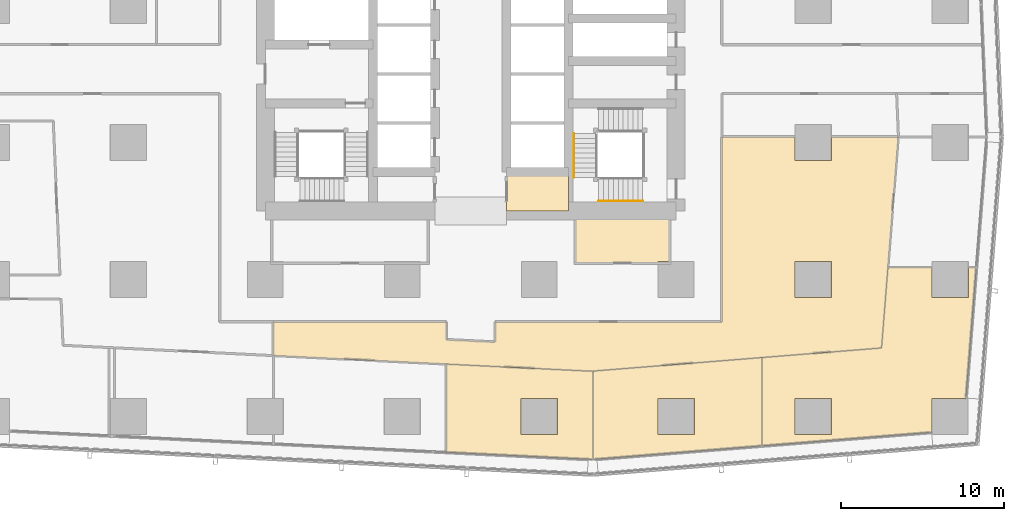
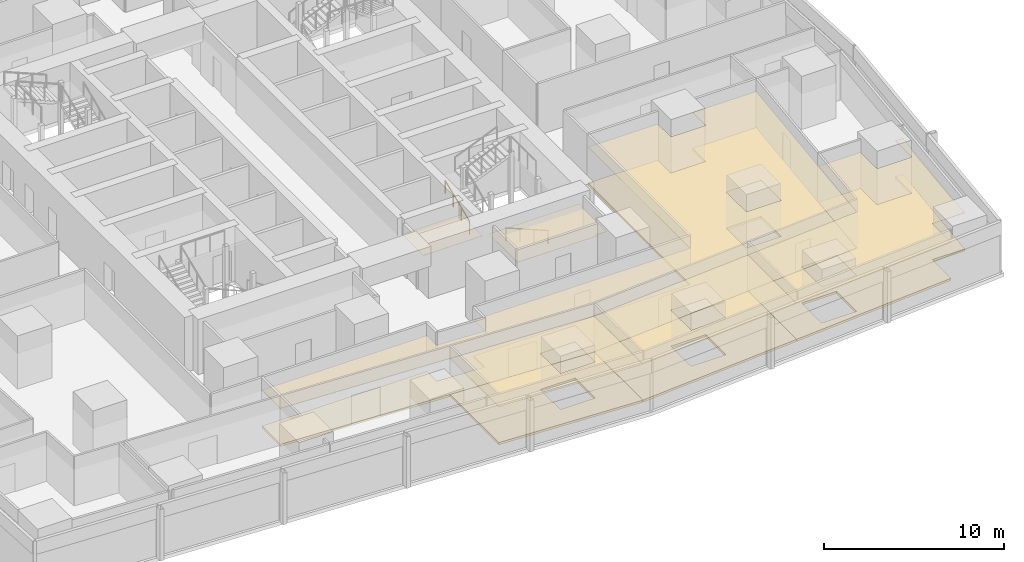
# One storey, part 38 of 44: 10 coverings, 2 railings.
"""IFC4 building model written with IfcOpenShell, lengths in metres."""

from ifc_helpers import new_model, si_unit, direction, frame, origin, origin_2d, place, context, subcontext, project, spatial, polyline, circle, outline, extrude, material, layer, layer_set, type_object, element, save


model = new_model("IFC4")

# Units and contexts
model_context = context("Model", 3, precision=1e-05, world=origin(), true_north=direction((0.0, 1.0)))
body_context = subcontext(model_context, "Body", "Model", "MODEL_VIEW")
ifc_project = project(units=[si_unit("LENGTHUNIT", "METRE"), si_unit("AREAUNIT", "SQUARE_METRE"), si_unit("VOLUMEUNIT", "CUBIC_METRE"), si_unit("PLANEANGLEUNIT", "RADIAN"), si_unit("MASSUNIT", "GRAM", prefix="KILO")], contexts=[model_context])

# Site, building, storey
site_placement = place(None, origin())
site = spatial("IfcSite", under=ifc_project, at=site_placement, CompositionType="ELEMENT")
building_placement = place(site_placement, origin())
building = spatial("IfcBuilding", under=site, at=building_placement, Name="Rekha Terrace Tower", CompositionType="ELEMENT")
storey_placement = place(building_placement, frame((0.0, 0.0, 66.64990234375)))
storey = spatial("IfcBuildingStorey", under=building, at=storey_placement, Name="L16", CompositionType="ELEMENT", Elevation=66.64990234375)

# Coverings
ifc_material_1 = material(Name="Mineral fibre tile in exposed grid", Category="finish")
ifc_layer_1 = layer(ifc_material_1, 0.02001953125)
ifc_layer_set_1 = layer_set([ifc_layer_1], Name="Mineral fibre tile in exposed grid")
covering_type_1 = type_object("IfcCoveringType", Name="CL1 600x1200 office grid ceiling", PredefinedType="CEILING", material=ifc_layer_set_1)
covering_1_placement = place(storey_placement, frame((0.0, 0.0, 2.580078125)))
element("IfcCovering", 1, at=covering_1_placement, inside=storey, type_object=covering_type_1, Name="Ceiling L16-02", PredefinedType="CEILING", context=body_context, shape_type="SweptSolid", body=[
    extrude(outline(polyline([(45.303955078125, 11.1669921875), (36.299072265625, 11.60888671875), (36.299072265625, 6.202880859375), (45.303955078125, 5.760009765625), (45.303955078125, 11.1669921875)]), holes=[polyline([(43.114990234375, 7.284912109375), (40.885009765625, 7.284912109375), (40.885009765625, 9.514892578125), (43.114990234375, 9.514892578125), (43.114990234375, 7.284912109375)])]), origin(), (0.0, 0.0, 1.0), 0.02001953125),
])
covering_2_placement = place(storey_placement, frame((0.0, 0.0, 2.580078125)))
element("IfcCovering", 2, at=covering_2_placement, inside=storey, type_object=covering_type_1, Name="Ceiling L16-03", PredefinedType="CEILING", context=body_context, shape_type="SweptSolid", body=[
    extrude(outline(polyline([(55.6708984375, 6.594970703125), (55.6708984375, 12.011962890625), (45.304931640625, 11.181884765625), (45.304931640625, 5.764892578125), (55.6708984375, 6.594970703125)]), holes=[polyline([(51.514892578125, 7.284912109375), (49.284912109375, 7.284912109375), (49.284912109375, 9.514892578125), (51.514892578125, 9.514892578125), (51.514892578125, 7.284912109375)])]), origin(), (0.0, 0.0, 1.0), 0.02001953125),
])
covering_3_placement = place(storey_placement, frame((0.0, 0.0, 2.580078125)))
element("IfcCovering", 3, at=covering_3_placement, inside=storey, type_object=covering_type_1, Name="Ceiling L16-04", PredefinedType="CEILING", context=body_context, shape_type="SweptSolid", body=[
    extrude(outline(polyline([(62.99609375, 12.59912109375), (55.673095703125, 12.012939453125), (55.673095703125, 6.594970703125), (66.0849609375, 7.428955078125), (66.0849609375, 9.514892578125), (68.16796875, 9.514892578125), (68.803955078125, 17.52294921875), (68.31494140625, 17.52294921875), (68.31494140625, 15.68505859375), (66.0849609375, 15.68505859375), (66.0849609375, 17.52294921875), (63.386962890625, 17.52294921875), (62.99609375, 12.59912109375)]), holes=[polyline([(59.9150390625, 7.284912109375), (57.68505859375, 7.284912109375), (57.68505859375, 9.514892578125), (59.9150390625, 9.514892578125), (59.9150390625, 7.284912109375)])]), origin(), (0.0, 0.0, 1.0), 0.02001953125),
])
covering_4_placement = place(storey_placement, frame((0.0, 0.0, 2.580078125)))
element("IfcCovering", 4, at=covering_4_placement, inside=storey, type_object=covering_type_1, Name="Ceiling L16-O1", PredefinedType="CEILING", context=body_context, shape_type="SweptSolid", body=[
    extrude(outline(polyline([(25.697021484375, 12.1298828125), (36.299072265625, 11.60888671875), (45.18798828125, 11.173095703125), (45.320068359375, 11.18310546875), (55.673095703125, 12.011962890625), (55.673095703125, 12.012939453125), (62.99609375, 12.59912109375), (63.386962890625, 17.52392578125), (64.02392578125, 25.552001953125), (59.9150390625, 25.552001953125), (59.9150390625, 24.0849609375), (57.68505859375, 24.0849609375), (57.68505859375, 25.552001953125), (53.199951171875, 25.552001953125), (53.199951171875, 14.199951171875), (39.300048828125, 14.199951171875), (39.300048828125, 12.964111328125), (36.300048828125, 13.111083984375), (36.300048828125, 14.199951171875), (25.697021484375, 14.199951171875), (25.697021484375, 12.1298828125)]), holes=[polyline([(59.9150390625, 17.9150390625), (59.9150390625, 15.68505859375), (57.68505859375, 15.68505859375), (57.68505859375, 17.9150390625), (59.9150390625, 17.9150390625)])]), origin(), (0.0, 0.0, 1.0), 0.02001953125),
])
ifc_material_2 = material(Name="Fibre cement board", Category="finish")
ifc_layer_2 = layer(ifc_material_2, 0.014892578125)
ifc_layer_set_2 = layer_set([ifc_layer_2], Name="Fibre cement board")
covering_type_2 = type_object("IfcCoveringType", Name="CL2 moisture-resistant board ceiling", PredefinedType="CEILING", material=ifc_layer_set_2)
covering_5_placement = place(storey_placement, frame((0.0, 0.0, 2.585205078125)))
element("IfcCovering", 5, at=covering_5_placement, inside=storey, type_object=covering_type_2, Name="Ceiling L16-WCA", PredefinedType="CEILING", context=body_context, shape_type="SweptSolid", body=[
    extrude(outline(polyline([(43.800048828125, 23.39990234375), (40.0, 23.39990234375), (40.0, 21.0), (43.800048828125, 21.0), (43.800048828125, 23.39990234375)])), origin(), (0.0, 0.0, 1.0), 0.014892578125),
])
covering_6_placement = place(storey_placement, frame((0.0, 0.0, 2.585205078125)))
element("IfcCovering", 6, at=covering_6_placement, inside=storey, type_object=covering_type_2, Name="Ceiling L16-WCM2", PredefinedType="CEILING", context=body_context, shape_type="SweptSolid", body=[
    extrude(outline(polyline([(50.0, 21.0), (44.199951171875, 21.0), (44.199951171875, 17.800048828125), (49.284912109375, 17.800048828125), (49.284912109375, 17.9150390625), (50.0, 17.9150390625), (50.0, 21.0)])), origin(), (0.0, 0.0, 1.0), 0.014892578125),
])

# Railings
ifc_material_3 = material(Name="Stainless steel tube", Category="steel")
railing_type = type_object("IfcRailingType", Name="HR1 900 stair handrail", PredefinedType="HANDRAIL", material=ifc_material_3)
railing_1_placement = place(storey_placement, frame((48.35009765625, 21.610107421875, 0.125)))
element("IfcRailing", 7, at=railing_1_placement, inside=storey, type_object=railing_type, Name="Handrail ST3 L16 flight 1", PredefinedType="HANDRAIL", context=body_context, shape_type="SweptSolid", body=[
    extrude(circle(Radius=0.02392578125, at=origin_2d()), frame((0.0, 0.0, 0.8759765625), z_axis=(-0.923086799901, 0.0, 0.38459167938), x_axis=(0.0, -1.0, 0.0)), (0.0, 0.0, 1.0), 2.92529296875),
    extrude(circle(Radius=0.02099609375, at=origin_2d()), origin(), (0.0, 0.0, 1.0), 0.851806640625),
    extrude(circle(Radius=0.02099609375, at=origin_2d()), frame((-0.900146484375, 0.0, 0.375)), (0.0, 0.0, 1.0), 0.851806640625),
    extrude(circle(Radius=0.02099609375, at=origin_2d()), frame((-1.800048828125, 0.0, 0.75)), (0.0, 0.0, 1.0), 0.851806640625),
    extrude(circle(Radius=0.02099609375, at=origin_2d()), frame((-2.7001953125, 0.0, 1.125)), (0.0, 0.0, 1.0), 0.851806640625),
])
railing_2_placement = place(storey_placement, frame((44.135009765625, 23.050048828125, 1.375)))
element("IfcRailing", 8, at=railing_2_placement, inside=storey, type_object=railing_type, Name="Handrail ST3 L16 flight 2", PredefinedType="HANDRAIL", context=body_context, shape_type="SweptSolid", body=[
    extrude(circle(Radius=0.02392578125, at=origin_2d()), frame((0.0, 0.0, 0.8759765625), z_axis=(0.0, 0.923074453586, 0.384621311341), x_axis=(-1.0, 0.0, 0.0)), (0.0, 0.0, 1.0), 2.925048828125),
    extrude(circle(Radius=0.02099609375, at=origin_2d()), origin(), (0.0, 0.0, 1.0), 0.851806640625),
    extrude(circle(Radius=0.02099609375, at=origin_2d()), frame((0.0, 0.89990234375, 0.375)), (0.0, 0.0, 1.0), 0.851806640625),
    extrude(circle(Radius=0.02099609375, at=origin_2d()), frame((0.0, 1.800048828125, 0.75)), (0.0, 0.0, 1.0), 0.851806640625),
    extrude(circle(Radius=0.02099609375, at=origin_2d()), frame((0.0, 2.699951171875, 1.125)), (0.0, 0.0, 1.0), 0.851806640625),
])

# Coverings
ifc_material_4 = material(Name="Calcium sulphate panels on steel pedestals", Category="steel")
ifc_layer_3 = layer(ifc_material_4, 0.14990234375)
ifc_layer_set_3 = layer_set([ifc_layer_3], Name="Calcium sulphate panels on steel pedestals")
covering_type_3 = type_object("IfcCoveringType", Name="RF1 150 raised access floor", PredefinedType="FLOORING", material=ifc_layer_set_3)
covering_7_placement = place(storey_placement, origin())
element("IfcCovering", 9, at=covering_7_placement, inside=storey, type_object=covering_type_3, Name="Raised floor L16-02", PredefinedType="FLOORING", context=body_context, shape_type="SweptSolid", body=[
    extrude(outline(polyline([(45.303955078125, 11.1669921875), (36.299072265625, 11.60888671875), (36.299072265625, 6.202880859375), (45.303955078125, 5.760009765625), (45.303955078125, 11.1669921875)]), holes=[polyline([(43.114990234375, 7.284912109375), (40.885009765625, 7.284912109375), (40.885009765625, 9.514892578125), (43.114990234375, 9.514892578125), (43.114990234375, 7.284912109375)])]), origin(), (0.0, 0.0, 1.0), 0.150146484375),
])
covering_8_placement = place(storey_placement, origin())
element("IfcCovering", 10, at=covering_8_placement, inside=storey, type_object=covering_type_3, Name="Raised floor L16-03", PredefinedType="FLOORING", context=body_context, shape_type="SweptSolid", body=[
    extrude(outline(polyline([(55.6708984375, 6.594970703125), (55.6708984375, 12.011962890625), (45.304931640625, 11.181884765625), (45.304931640625, 5.764892578125), (55.6708984375, 6.594970703125)]), holes=[polyline([(51.514892578125, 7.284912109375), (49.284912109375, 7.284912109375), (49.284912109375, 9.514892578125), (51.514892578125, 9.514892578125), (51.514892578125, 7.284912109375)])]), origin(), (0.0, 0.0, 1.0), 0.150146484375),
])
covering_9_placement = place(storey_placement, origin())
element("IfcCovering", 11, at=covering_9_placement, inside=storey, type_object=covering_type_3, Name="Raised floor L16-04", PredefinedType="FLOORING", context=body_context, shape_type="SweptSolid", body=[
    extrude(outline(polyline([(62.99609375, 12.59912109375), (55.673095703125, 12.012939453125), (55.673095703125, 6.594970703125), (66.0849609375, 7.428955078125), (66.0849609375, 9.514892578125), (68.16796875, 9.514892578125), (68.803955078125, 17.52294921875), (68.31494140625, 17.52294921875), (68.31494140625, 15.68505859375), (66.0849609375, 15.68505859375), (66.0849609375, 17.52294921875), (63.386962890625, 17.52294921875), (62.99609375, 12.59912109375)]), holes=[polyline([(59.9150390625, 7.284912109375), (57.68505859375, 7.284912109375), (57.68505859375, 9.514892578125), (59.9150390625, 9.514892578125), (59.9150390625, 7.284912109375)])]), origin(), (0.0, 0.0, 1.0), 0.150146484375),
])
covering_10_placement = place(storey_placement, origin())
element("IfcCovering", 12, at=covering_10_placement, inside=storey, type_object=covering_type_3, Name="Raised floor L16-O1", PredefinedType="FLOORING", context=body_context, shape_type="SweptSolid", body=[
    extrude(outline(polyline([(25.697021484375, 12.1298828125), (36.299072265625, 11.60888671875), (45.18798828125, 11.173095703125), (45.320068359375, 11.18310546875), (55.673095703125, 12.011962890625), (55.673095703125, 12.012939453125), (62.99609375, 12.59912109375), (63.386962890625, 17.52392578125), (64.02392578125, 25.552001953125), (59.9150390625, 25.552001953125), (59.9150390625, 24.0849609375), (57.68505859375, 24.0849609375), (57.68505859375, 25.552001953125), (53.199951171875, 25.552001953125), (53.199951171875, 14.199951171875), (39.300048828125, 14.199951171875), (39.300048828125, 12.964111328125), (36.300048828125, 13.111083984375), (36.300048828125, 14.199951171875), (25.697021484375, 14.199951171875), (25.697021484375, 12.1298828125)]), holes=[polyline([(59.9150390625, 17.9150390625), (59.9150390625, 15.68505859375), (57.68505859375, 15.68505859375), (57.68505859375, 17.9150390625), (59.9150390625, 17.9150390625)])]), origin(), (0.0, 0.0, 1.0), 0.150146484375),
])

save(model, "model.ifc")
